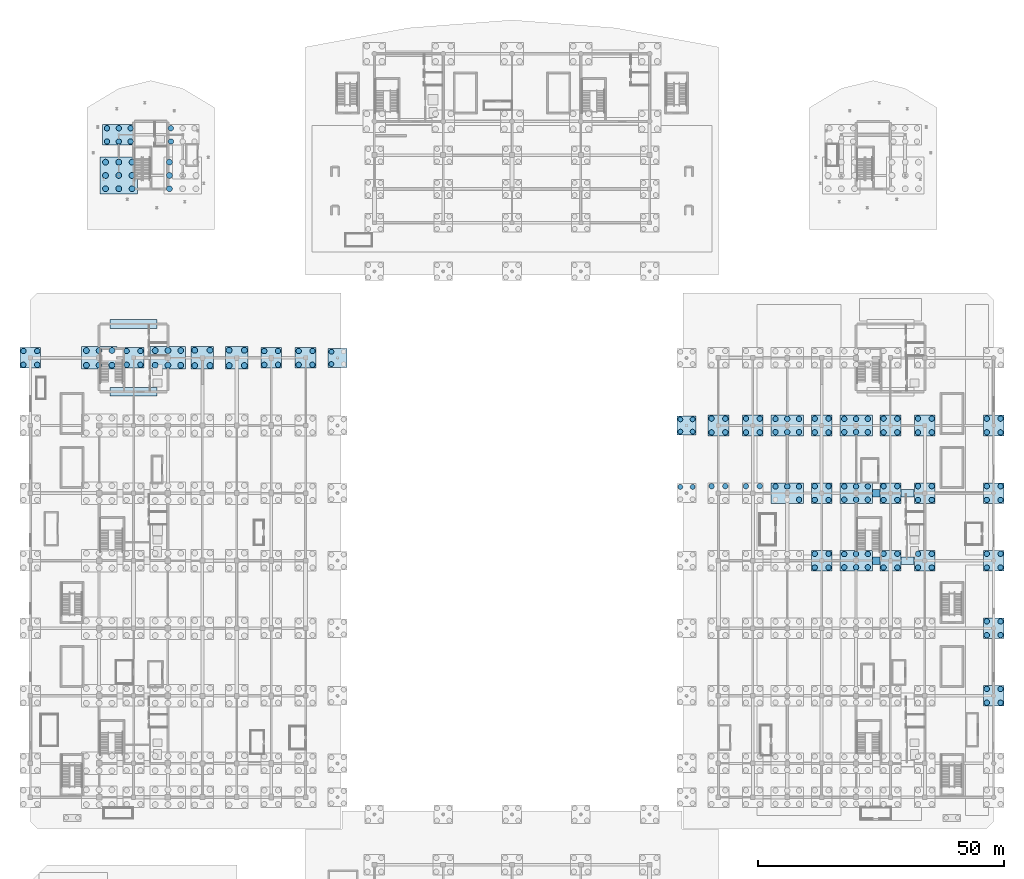
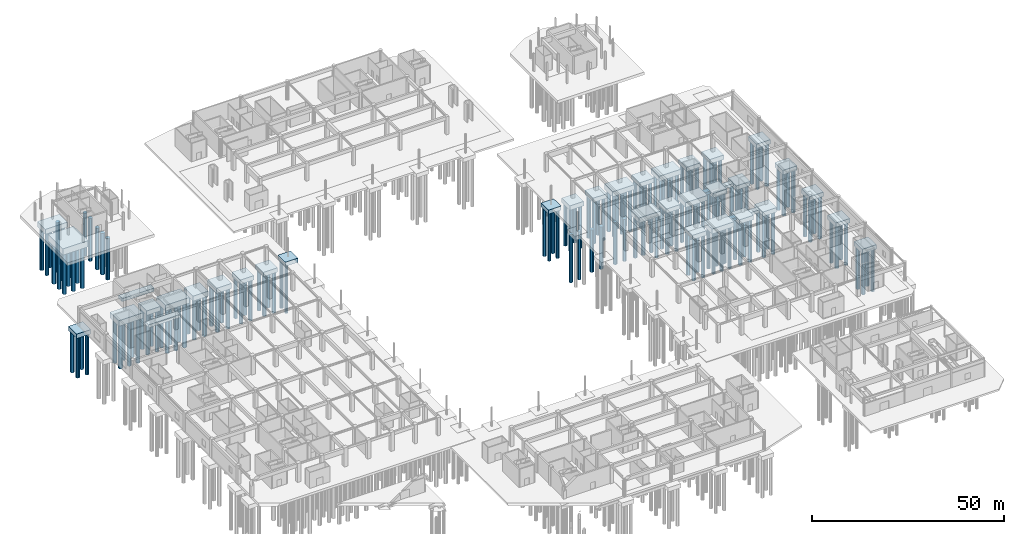
# One storey, part 5 of 62: 160 piles, 39 footings.
"""IFC4 building model written with IfcOpenShell, lengths in metres."""

import ifcopenshell
import ifcopenshell.guid

model = None  # the IFC model being written
_history = None  # IfcOwnerHistory: only IFC2X3 demands one
_inside = {}  # id of a spatial element -> (the spatial element, [elements in it])
_under = {}  # id of a project, library or spatial element -> (it, [spatial elements below it])
_declared = {}  # id of a project -> (the project, [libraries it declares])
_typed = {}  # id of a type object -> (the type object, [elements of that type])
_made_of = {}  # id of a material, layer set ... -> (it, [elements and type objects made of it])


def new_model(schema):
    """Start an empty IFC model of exactly this schema.

    Asked for "IFC4X3", IfcOpenShell would pick the latest addendum, in which some entities
    have other attributes; the version numbers below select the first issue.
    IFC2X3 requires an IfcOwnerHistory on every rooted entity: one is made here for all.
    """
    global model, _history
    if schema == "IFC4X3":
        model = ifcopenshell.file(schema_version=(4, 3, 0, 0))
    else:
        model = ifcopenshell.file(schema=schema)
    _inside.clear()
    _under.clear()
    _declared.clear()
    _typed.clear()
    _made_of.clear()
    _history = None
    if model.schema == "IFC2X3":
        org = make("IfcOrganization", Name="unknown")
        user = make(
            "IfcPersonAndOrganization",
            ThePerson=make("IfcPerson", FamilyName="unknown"),
            TheOrganization=org,
        )
        app = make(
            "IfcApplication",
            ApplicationDeveloper=org,
            Version="unknown",
            ApplicationFullName="unknown",
            ApplicationIdentifier="unknown",
        )
        _history = make(
            "IfcOwnerHistory",
            OwningUser=user,
            OwningApplication=app,
            ChangeAction="ADDED",
            CreationDate=0,
        )
    return model


def make(cls, **values):
    """One entity of the class cls with the attributes given. An attribute that is None is left unset."""
    return model.create_entity(
        cls, **{name: value for name, value in values.items() if value is not None}
    )


def rooted(cls, **values):
    """An entity with a GlobalId (a new one), such as an element, a storey or a relation."""
    return make(cls, GlobalId=ifcopenshell.guid.new(), OwnerHistory=_history, **values)


def si_unit(unit_type, name, prefix=None):
    """IfcSIUnit, for example si_unit("LENGTHUNIT", "METRE", prefix="MILLI")."""
    return make("IfcSIUnit", UnitType=unit_type, Prefix=prefix, Name=name)


def assignment(units):
    """IfcUnitAssignment: the units of a project."""
    return None if units is None else make("IfcUnitAssignment", Units=units)


def point(xyz):
    """IfcCartesianPoint."""
    return None if xyz is None else make("IfcCartesianPoint", Coordinates=xyz)


def direction(xyz):
    """IfcDirection."""
    return None if xyz is None else make("IfcDirection", DirectionRatios=xyz)


def frame(location, z_axis=None, x_axis=None):
    """IfcAxis2Placement3D, a coordinate frame: its origin and axes. An axis left out is left unset."""
    return make(
        "IfcAxis2Placement3D",
        Location=point(location),
        Axis=direction(z_axis),
        RefDirection=direction(x_axis),
    )


def frame_2d(location, x_axis=None):
    """IfcAxis2Placement2D, a coordinate frame in the plane: its origin and x axis."""
    return make(
        "IfcAxis2Placement2D", Location=point(location), RefDirection=direction(x_axis)
    )


def origin():
    """The frame at (0, 0, 0) with its axes left unset."""
    return frame((0.0, 0.0, 0.0))


def origin_2d():
    """The frame at (0, 0) in the plane with its x axis left unset."""
    return frame_2d((0.0, 0.0))


def place(relative_to, where):
    """IfcLocalPlacement: puts the frame where relative to a parent placement (None: the world)."""
    return make(
        "IfcLocalPlacement", PlacementRelTo=relative_to, RelativePlacement=where
    )


def context(
    kind, dimensions, precision=None, world=None, true_north=None, identifier=None
):
    """IfcGeometricRepresentationContext, for example the 3D "Model" context."""
    return make(
        "IfcGeometricRepresentationContext",
        ContextIdentifier=identifier,
        ContextType=kind,
        CoordinateSpaceDimension=dimensions,
        Precision=precision,
        WorldCoordinateSystem=world,
        TrueNorth=true_north,
    )


def subcontext(parent, identifier, kind, view, scale=None):
    """IfcGeometricRepresentationSubContext, for example "Body" below "Model"."""
    return make(
        "IfcGeometricRepresentationSubContext",
        ContextIdentifier=identifier,
        ContextType=kind,
        ParentContext=parent,
        TargetScale=scale,
        TargetView=view,
    )


def project(units=None, contexts=None):
    """IfcProject with its units and contexts."""
    return rooted(
        "IfcProject",
        Name="project",
        RepresentationContexts=contexts,
        UnitsInContext=assignment(units),
    )


def spatial(cls, under=None, at=None, **own):
    """A site, building, storey or space (cls), placed at a placement, below another one or the project."""
    s = rooted(cls, ObjectPlacement=at, **own)
    if under is not None:
        _under.setdefault(under.id(), (under, []))[1].append(s)
    return s


def profile(cls, at=None, kind="AREA", **sizes):
    """A parametric profile (cls). Its sizes go by their IFC names, for example OverallWidth=200.0."""
    return make(cls, ProfileType=kind, Position=at, **sizes)


def rectangle(**sizes):
    """IfcRectangleProfileDef."""
    return profile("IfcRectangleProfileDef", **sizes)


def circle(**sizes):
    """IfcCircleProfileDef."""
    return profile("IfcCircleProfileDef", **sizes)


def extrude(swept, where, along, depth):
    """IfcExtrudedAreaSolid: the profile swept, set in the frame where, extruded along a direction by depth."""
    return make(
        "IfcExtrudedAreaSolid",
        SweptArea=swept,
        Position=where,
        ExtrudedDirection=direction(along),
        Depth=depth,
    )


def shape(context_of_items, identifier, shape_type, items):
    """IfcShapeRepresentation: the items that make up one representation, for example the "Body"."""
    return make(
        "IfcShapeRepresentation",
        ContextOfItems=context_of_items,
        RepresentationIdentifier=identifier,
        RepresentationType=shape_type,
        Items=items,
    )


def material(Name=None, Category=None):
    """IfcMaterial."""
    return make("IfcMaterial", Name=Name, Category=Category)


def material_profile(
    of_material, cross_section, Name=None, Category=None, Priority=None
):
    """IfcMaterialProfile: a cross section and its material."""
    return make(
        "IfcMaterialProfile",
        Name=Name,
        Material=of_material,
        Profile=cross_section,
        Priority=Priority,
        Category=Category,
    )


def profile_set(profiles, Name=None, composite=None):
    """IfcMaterialProfileSet."""
    return make(
        "IfcMaterialProfileSet",
        Name=Name,
        MaterialProfiles=profiles,
        CompositeProfile=composite,
    )


def made_of(thing, what):
    """Note that an element or type object is made of a material, layer set ...; save() writes the relation."""
    if what is not None:
        _made_of.setdefault(what.id(), (what, []))[1].append(thing)
    return thing


def type_object(cls, material=None, **own):
    """A type object (cls), such as IfcWallType, which elements share."""
    return made_of(rooted(cls, **own), material)


def element(
    cls,
    number,
    at=None,
    inside=None,
    cuts=None,
    type_object=None,
    material=None,
    context=None,
    identifier="Body",
    shape_type=None,
    held_by="IfcProductDefinitionShape",
    body=None,
    shapes=None,
    **own,
):
    """One element of the class cls, such as IfcWall. Its Tag is "e" and its number.

    at: its placement. inside: the storey or other place that contains it. cuts: it is an
    opening in that element (IfcRelVoidsElement). A single representation is given by context,
    identifier, shape_type and body (its items); several are given by shapes. held_by: the class
    of the entity that holds the representations. save() writes the other relations.
    """
    e = rooted(cls, Tag="e%d" % number, ObjectPlacement=at, **own)
    if body is not None:
        shapes = [shape(context, identifier, shape_type, body)]
    if shapes is not None:
        e.Representation = make(held_by, Representations=shapes)
    if inside is not None:
        _inside.setdefault(inside.id(), (inside, []))[1].append(e)
    if cuts is not None:
        rooted(
            "IfcRelVoidsElement", RelatingBuildingElement=cuts, RelatedOpeningElement=e
        )
    if type_object is not None:
        _typed.setdefault(type_object.id(), (type_object, []))[1].append(e)
    return made_of(e, material)


def aggregate(whole, parts):
    """IfcRelAggregates: a whole, such as a stair, and the parts it consists of."""
    return rooted("IfcRelAggregates", RelatingObject=whole, RelatedObjects=parts)


def save(model, path):
    """Write the relations noted so far, then the file.

    IfcRelAggregates (storeys below a building ...), IfcRelContainedInSpatialStructure (elements
    in a storey), IfcRelDefinesByType, IfcRelAssociatesMaterial and IfcRelDeclares: one each for
    every whole, place, type object, material and project.
    """
    for whole, parts in _under.values():
        aggregate(whole, parts)
    for where, things in _inside.values():
        rooted(
            "IfcRelContainedInSpatialStructure",
            RelatedElements=things,
            RelatingStructure=where,
        )
    for kind, things in _typed.values():
        rooted("IfcRelDefinesByType", RelatedObjects=things, RelatingType=kind)
    for what, things in _made_of.values():
        rooted("IfcRelAssociatesMaterial", RelatedObjects=things, RelatingMaterial=what)
    for by, libraries in _declared.values():
        rooted("IfcRelDeclares", RelatingContext=by, RelatedDefinitions=libraries)
    model.write(path)


model = new_model("IFC4")

# Units and contexts
model_context = context("Model", 3, precision=1e-05, world=origin(), true_north=direction((0.0, 1.0)))
body_context = subcontext(model_context, "Body", "Model", "MODEL_VIEW")
ifc_project = project(units=[si_unit("LENGTHUNIT", "METRE"), si_unit("AREAUNIT", "SQUARE_METRE"), si_unit("VOLUMEUNIT", "CUBIC_METRE"), si_unit("PLANEANGLEUNIT", "RADIAN"), si_unit("MASSUNIT", "GRAM", prefix="KILO")], contexts=[model_context])

# Site, building, storey
site_placement = place(None, origin())
site = spatial("IfcSite", under=ifc_project, at=site_placement, CompositionType="ELEMENT")
building_placement = place(site_placement, origin())
building = spatial("IfcBuilding", under=site, at=building_placement, Name="Linyun Crest Stadium", CompositionType="ELEMENT")
storey_placement = place(building_placement, frame((0.0, 0.0, -6.0)))
storey = spatial("IfcBuildingStorey", under=building, at=storey_placement, Name="B1", CompositionType="ELEMENT", Elevation=-6.0)

# Piles
ifc_material_1 = material(Name="Concrete C40", Category="concrete")
ifc_material_profile_1 = material_profile(ifc_material_1, circle(Radius=0.5, at=origin_2d()), Name="BORED PILE 1000")
ifc_profile_set_1 = profile_set([ifc_material_profile_1], Name="Concrete C40")
pile_type_1 = type_object("IfcPileType", Name="P02", PredefinedType="BORED", material=ifc_profile_set_1)
for number, where, z_axis, x_axis, name in (
    (1, (-36.75, 42.125, -1.199951171875), (0.0, 0.0, -1.0), (1.0, 0.0, 0.0), "Bored pile P02 arch 16.1"),
    (2, (-36.75, 44.625, -1.199951171875), (0.0, 0.0, -1.0), (1.0, 0.0, 0.0), "Bored pile P02 arch 16.2"),
    (3, (34.25, 17.125, -1.199951171875), (0.0, 0.0, -1.0), (1.0, 0.0, 0.0), "Bored pile P02 arch 28.2"),
    (4, (36.75, 17.125, -1.199951171875), (0.0, 0.0, -1.0), (1.0, 0.0, 0.0), "Bored pile P02 arch 28.4"),
    (5, (34.25, 28.375, -1.199951171875), (0.0, 0.0, -1.0), (1.0, 0.0, 0.0), "Bored pile P02 arch 30.1"),
    (6, (34.25, 30.875, -1.199951171875), (0.0, 0.0, -1.0), (1.0, 0.0, 0.0), "Bored pile P02 arch 30.2"),
    (7, (36.75, 28.375, -1.199951171875), (0.0, 0.0, -1.0), (1.0, 0.0, 0.0), "Bored pile P02 arch 30.3"),
    (8, (36.75, 30.875, -1.199951171875), (0.0, 0.0, -1.0), (1.0, 0.0, 0.0), "Bored pile P02 arch 30.4"),
):
    element("IfcPile", number, at=place(storey_placement, frame(where, z_axis=z_axis, x_axis=x_axis)), inside=storey, type_object=pile_type_1, Name=name, PredefinedType="BORED", context=body_context, shape_type="SweptSolid", body=[
        extrude(circle(Radius=0.5, at=origin_2d()), origin(), (0.0, 0.0, 1.0), 15.300048828125),
    ])
ifc_material_2 = material(Name="Concrete C40", Category="concrete")
ifc_material_profile_2 = material_profile(ifc_material_2, circle(Radius=0.550048828125, at=origin_2d()), Name="BORED PILE 1100")
ifc_profile_set_2 = profile_set([ifc_material_profile_2], Name="Concrete C40")
pile_type_2 = type_object("IfcPileType", Name="P03", PredefinedType="BORED", material=ifc_profile_set_2)
for number, where, z_axis, x_axis, name in (
    (9, (-99.39990234375, 41.97509765625, -2.050048828125), (0.0, 0.0, -1.0), (1.0, 0.0, 0.0), "Bored pile P03 29"),
    (10, (-99.39990234375, 44.77490234375, -2.050048828125), (0.0, 0.0, -1.0), (1.0, 0.0, 0.0), "Bored pile P03 30"),
    (11, (-96.60009765625, 41.97509765625, -2.050048828125), (0.0, 0.0, -1.0), (1.0, 0.0, 0.0), "Bored pile P03 31"),
    (12, (-96.60009765625, 44.77490234375, -2.050048828125), (0.0, 0.0, -1.0), (1.0, 0.0, 0.0), "Bored pile P03 32"),
    (13, (-78.39990234375, 41.97509765625, -2.050048828125), (0.0, 0.0, -1.0), (1.0, 0.0, 0.0), "Bored pile P03 109"),
    (14, (-78.39990234375, 44.77490234375, -2.050048828125), (0.0, 0.0, -1.0), (1.0, 0.0, 0.0), "Bored pile P03 110"),
    (15, (-75.60009765625, 41.97509765625, -2.050048828125), (0.0, 0.0, -1.0), (1.0, 0.0, 0.0), "Bored pile P03 111"),
    (16, (-75.60009765625, 44.77490234375, -2.050048828125), (0.0, 0.0, -1.0), (1.0, 0.0, 0.0), "Bored pile P03 112"),
    (17, (-50.39990234375, 41.97509765625, -2.050048828125), (0.0, 0.0, -1.0), (1.0, 0.0, 0.0), "Bored pile P03 253"),
    (18, (-50.39990234375, 44.77490234375, -2.050048828125), (0.0, 0.0, -1.0), (1.0, 0.0, 0.0), "Bored pile P03 254"),
    (19, (-47.60009765625, 41.97509765625, -2.050048828125), (0.0, 0.0, -1.0), (1.0, 0.0, 0.0), "Bored pile P03 255"),
    (20, (-47.60009765625, 44.77490234375, -2.050048828125), (0.0, 0.0, -1.0), (1.0, 0.0, 0.0), "Bored pile P03 256"),
    (21, (-43.39990234375, 41.97509765625, -2.050048828125), (0.0, 0.0, -1.0), (1.0, 0.0, 0.0), "Bored pile P03 285"),
    (22, (-43.39990234375, 44.77490234375, -2.050048828125), (0.0, 0.0, -1.0), (1.0, 0.0, 0.0), "Bored pile P03 286"),
    (23, (-40.60009765625, 41.97509765625, -2.050048828125), (0.0, 0.0, -1.0), (1.0, 0.0, 0.0), "Bored pile P03 287"),
    (24, (-40.60009765625, 44.77490234375, -2.050048828125), (0.0, 0.0, -1.0), (1.0, 0.0, 0.0), "Bored pile P03 288"),
):
    element("IfcPile", number, at=place(storey_placement, frame(where, z_axis=z_axis, x_axis=x_axis)), inside=storey, type_object=pile_type_2, Name=name, PredefinedType="BORED", context=body_context, shape_type="SweptSolid", body=[
        extrude(circle(Radius=0.550048828125, at=origin_2d()), origin(), (0.0, 0.0, 1.0), 12.949951171875),
    ])
for number, where, z_axis, x_axis, name in (
    (25, (40.60009765625, 17.27490234375, -2.050048828125), (0.0, 0.0, -1.0), (1.0, 0.0, 0.0), "Bored pile P03 310"),
    (26, (43.39990234375, 17.27490234375, -2.050048828125), (0.0, 0.0, -1.0), (1.0, 0.0, 0.0), "Bored pile P03 312"),
    (27, (40.60009765625, 28.22509765625, -2.050048828125), (0.0, 0.0, -1.0), (1.0, 0.0, 0.0), "Bored pile P03 313"),
    (28, (40.60009765625, 31.02490234375, -2.050048828125), (0.0, 0.0, -1.0), (1.0, 0.0, 0.0), "Bored pile P03 314"),
    (29, (43.39990234375, 28.22509765625, -2.050048828125), (0.0, 0.0, -1.0), (1.0, 0.0, 0.0), "Bored pile P03 315"),
    (30, (43.39990234375, 31.02490234375, -2.050048828125), (0.0, 0.0, -1.0), (1.0, 0.0, 0.0), "Bored pile P03 316"),
    (31, (47.60009765625, 17.27490234375, -2.050048828125), (0.0, 0.0, -1.0), (1.0, 0.0, 0.0), "Bored pile P03 342"),
    (32, (50.39990234375, 17.27490234375, -2.050048828125), (0.0, 0.0, -1.0), (1.0, 0.0, 0.0), "Bored pile P03 344"),
    (33, (47.60009765625, 28.22509765625, -2.050048828125), (0.0, 0.0, -1.0), (1.0, 0.0, 0.0), "Bored pile P03 345"),
    (34, (47.60009765625, 31.02490234375, -2.050048828125), (0.0, 0.0, -1.0), (1.0, 0.0, 0.0), "Bored pile P03 346"),
    (35, (50.39990234375, 28.22509765625, -2.050048828125), (0.0, 0.0, -1.0), (1.0, 0.0, 0.0), "Bored pile P03 347"),
    (36, (50.39990234375, 31.02490234375, -2.050048828125), (0.0, 0.0, -1.0), (1.0, 0.0, 0.0), "Bored pile P03 348"),
):
    element("IfcPile", number, at=place(storey_placement, frame(where, z_axis=z_axis, x_axis=x_axis)), inside=storey, type_object=pile_type_2, Name=name, PredefinedType="BORED", context=body_context, shape_type="SweptSolid", body=[
        extrude(circle(Radius=0.550048828125, at=origin_2d()), origin(), (0.0, 0.0, 1.0), 13.449951171875),
    ])
for number, where, z_axis, x_axis, name in (
    (37, (53.60009765625, 17.22509765625, -2.25), (0.0, 0.0, -1.0), (1.0, 0.0, 0.0), "Bored pile P03 384"),
    (38, (56.0, 17.22509765625, -2.25), (0.0, 0.0, -1.0), (1.0, 0.0, 0.0), "Bored pile P03 386"),
    (39, (58.39990234375, 14.52490234375, -2.25), (0.0, 0.0, -1.0), (1.0, 0.0, 0.0), "Bored pile P03 387"),
    (40, (58.39990234375, 17.22509765625, -2.25), (0.0, 0.0, -1.0), (1.0, 0.0, 0.0), "Bored pile P03 388"),
    (41, (53.60009765625, 28.27490234375, -2.25), (0.0, 0.0, -1.0), (1.0, 0.0, 0.0), "Bored pile P03 389"),
    (42, (53.60009765625, 30.97509765625, -2.25), (0.0, 0.0, -1.0), (1.0, 0.0, 0.0), "Bored pile P03 390"),
    (43, (56.0, 28.27490234375, -2.25), (0.0, 0.0, -1.0), (1.0, 0.0, 0.0), "Bored pile P03 391"),
    (44, (56.0, 30.97509765625, -2.25), (0.0, 0.0, -1.0), (1.0, 0.0, 0.0), "Bored pile P03 392"),
    (45, (58.39990234375, 28.27490234375, -2.25), (0.0, 0.0, -1.0), (1.0, 0.0, 0.0), "Bored pile P03 393"),
    (46, (58.39990234375, 30.97509765625, -2.25), (0.0, 0.0, -1.0), (1.0, 0.0, 0.0), "Bored pile P03 394"),
):
    element("IfcPile", number, at=place(storey_placement, frame(where, z_axis=z_axis, x_axis=x_axis)), inside=storey, type_object=pile_type_2, Name=name, PredefinedType="BORED", context=body_context, shape_type="SweptSolid", body=[
        extrude(circle(Radius=0.550048828125, at=origin_2d()), origin(), (0.0, 0.0, 1.0), 13.25),
    ])
for number, where, z_axis, x_axis, name in (
    (47, (61.60009765625, 0.72509765625, -2.050048828125), (0.0, 0.0, -1.0), (1.0, 0.0, 0.0), "Bored pile P03 417"),
    (48, (61.60009765625, 3.52490234375, -2.050048828125), (0.0, 0.0, -1.0), (1.0, 0.0, 0.0), "Bored pile P03 418"),
    (49, (64.39990234375, 0.72509765625, -2.050048828125), (0.0, 0.0, -1.0), (1.0, 0.0, 0.0), "Bored pile P03 419"),
    (50, (64.39990234375, 3.52490234375, -2.050048828125), (0.0, 0.0, -1.0), (1.0, 0.0, 0.0), "Bored pile P03 420"),
    (51, (61.60009765625, 14.47509765625, -2.050048828125), (0.0, 0.0, -1.0), (1.0, 0.0, 0.0), "Bored pile P03 421"),
    (52, (61.60009765625, 17.27490234375, -2.050048828125), (0.0, 0.0, -1.0), (1.0, 0.0, 0.0), "Bored pile P03 422"),
    (53, (64.39990234375, 14.47509765625, -2.050048828125), (0.0, 0.0, -1.0), (1.0, 0.0, 0.0), "Bored pile P03 423"),
    (54, (64.39990234375, 17.27490234375, -2.050048828125), (0.0, 0.0, -1.0), (1.0, 0.0, 0.0), "Bored pile P03 424"),
    (55, (61.60009765625, 28.22509765625, -2.050048828125), (0.0, 0.0, -1.0), (1.0, 0.0, 0.0), "Bored pile P03 425"),
    (56, (61.60009765625, 31.02490234375, -2.050048828125), (0.0, 0.0, -1.0), (1.0, 0.0, 0.0), "Bored pile P03 426"),
    (57, (64.39990234375, 28.22509765625, -2.050048828125), (0.0, 0.0, -1.0), (1.0, 0.0, 0.0), "Bored pile P03 427"),
    (58, (64.39990234375, 31.02490234375, -2.050048828125), (0.0, 0.0, -1.0), (1.0, 0.0, 0.0), "Bored pile P03 428"),
):
    element("IfcPile", number, at=place(storey_placement, frame(where, z_axis=z_axis, x_axis=x_axis)), inside=storey, type_object=pile_type_2, Name=name, PredefinedType="BORED", context=body_context, shape_type="SweptSolid", body=[
        extrude(circle(Radius=0.550048828125, at=origin_2d()), origin(), (0.0, 0.0, 1.0), 13.449951171875),
    ])
for number, where, z_axis, x_axis, name in (
    (59, (67.60009765625, 0.77490234375, -2.25), (0.0, 0.0, -1.0), (1.0, 0.0, 0.0), "Bored pile P03 457"),
    (60, (67.60009765625, 3.47509765625, -2.25), (0.0, 0.0, -1.0), (1.0, 0.0, 0.0), "Bored pile P03 458"),
    (61, (70.0, 0.77490234375, -2.25), (0.0, 0.0, -1.0), (1.0, 0.0, 0.0), "Bored pile P03 459"),
    (62, (70.0, 3.47509765625, -2.25), (0.0, 0.0, -1.0), (1.0, 0.0, 0.0), "Bored pile P03 460"),
    (63, (72.39990234375, 0.77490234375, -2.25), (0.0, 0.0, -1.0), (1.0, 0.0, 0.0), "Bored pile P03 461"),
    (64, (72.39990234375, 3.47509765625, -2.25), (0.0, 0.0, -1.0), (1.0, 0.0, 0.0), "Bored pile P03 462"),
    (65, (67.60009765625, 14.52490234375, -2.25), (0.0, 0.0, -1.0), (1.0, 0.0, 0.0), "Bored pile P03 463"),
    (66, (67.60009765625, 17.22509765625, -2.25), (0.0, 0.0, -1.0), (1.0, 0.0, 0.0), "Bored pile P03 464"),
    (67, (70.0, 14.52490234375, -2.25), (0.0, 0.0, -1.0), (1.0, 0.0, 0.0), "Bored pile P03 465"),
    (68, (70.0, 17.22509765625, -2.25), (0.0, 0.0, -1.0), (1.0, 0.0, 0.0), "Bored pile P03 466"),
    (69, (72.39990234375, 14.52490234375, -2.25), (0.0, 0.0, -1.0), (1.0, 0.0, 0.0), "Bored pile P03 467"),
    (70, (72.39990234375, 17.22509765625, -2.25), (0.0, 0.0, -1.0), (1.0, 0.0, 0.0), "Bored pile P03 468"),
    (71, (67.60009765625, 28.27490234375, -2.25), (0.0, 0.0, -1.0), (1.0, 0.0, 0.0), "Bored pile P03 469"),
    (72, (67.60009765625, 30.97509765625, -2.25), (0.0, 0.0, -1.0), (1.0, 0.0, 0.0), "Bored pile P03 470"),
    (73, (70.0, 28.27490234375, -2.25), (0.0, 0.0, -1.0), (1.0, 0.0, 0.0), "Bored pile P03 471"),
    (74, (70.0, 30.97509765625, -2.25), (0.0, 0.0, -1.0), (1.0, 0.0, 0.0), "Bored pile P03 472"),
    (75, (72.39990234375, 28.27490234375, -2.25), (0.0, 0.0, -1.0), (1.0, 0.0, 0.0), "Bored pile P03 473"),
    (76, (72.39990234375, 30.97509765625, -2.25), (0.0, 0.0, -1.0), (1.0, 0.0, 0.0), "Bored pile P03 474"),
):
    element("IfcPile", number, at=place(storey_placement, frame(where, z_axis=z_axis, x_axis=x_axis)), inside=storey, type_object=pile_type_2, Name=name, PredefinedType="BORED", context=body_context, shape_type="SweptSolid", body=[
        extrude(circle(Radius=0.550048828125, at=origin_2d()), origin(), (0.0, 0.0, 1.0), 13.25),
    ])
for number, where, z_axis, x_axis, name in (
    (77, (75.60009765625, 0.72509765625, -2.050048828125), (0.0, 0.0, -1.0), (1.0, 0.0, 0.0), "Bored pile P03 497"),
    (78, (75.60009765625, 3.52490234375, -2.050048828125), (0.0, 0.0, -1.0), (1.0, 0.0, 0.0), "Bored pile P03 498"),
    (79, (78.39990234375, 0.72509765625, -2.050048828125), (0.0, 0.0, -1.0), (1.0, 0.0, 0.0), "Bored pile P03 499"),
    (80, (78.39990234375, 3.52490234375, -2.050048828125), (0.0, 0.0, -1.0), (1.0, 0.0, 0.0), "Bored pile P03 500"),
    (81, (75.60009765625, 14.47509765625, -2.050048828125), (0.0, 0.0, -1.0), (1.0, 0.0, 0.0), "Bored pile P03 501"),
    (82, (75.60009765625, 17.27490234375, -2.050048828125), (0.0, 0.0, -1.0), (1.0, 0.0, 0.0), "Bored pile P03 502"),
    (83, (78.39990234375, 14.47509765625, -2.050048828125), (0.0, 0.0, -1.0), (1.0, 0.0, 0.0), "Bored pile P03 503"),
    (84, (78.39990234375, 17.27490234375, -2.050048828125), (0.0, 0.0, -1.0), (1.0, 0.0, 0.0), "Bored pile P03 504"),
    (85, (75.60009765625, 28.22509765625, -2.050048828125), (0.0, 0.0, -1.0), (1.0, 0.0, 0.0), "Bored pile P03 505"),
    (86, (75.60009765625, 31.02490234375, -2.050048828125), (0.0, 0.0, -1.0), (1.0, 0.0, 0.0), "Bored pile P03 506"),
    (87, (78.39990234375, 28.22509765625, -2.050048828125), (0.0, 0.0, -1.0), (1.0, 0.0, 0.0), "Bored pile P03 507"),
    (88, (78.39990234375, 31.02490234375, -2.050048828125), (0.0, 0.0, -1.0), (1.0, 0.0, 0.0), "Bored pile P03 508"),
    (89, (82.60009765625, 0.72509765625, -2.050048828125), (0.0, 0.0, -1.0), (1.0, 0.0, 0.0), "Bored pile P03 529"),
    (90, (82.60009765625, 3.52490234375, -2.050048828125), (0.0, 0.0, -1.0), (1.0, 0.0, 0.0), "Bored pile P03 530"),
    (91, (85.39990234375, 0.72509765625, -2.050048828125), (0.0, 0.0, -1.0), (1.0, 0.0, 0.0), "Bored pile P03 531"),
    (92, (85.39990234375, 3.52490234375, -2.050048828125), (0.0, 0.0, -1.0), (1.0, 0.0, 0.0), "Bored pile P03 532"),
    (93, (82.60009765625, 14.47509765625, -2.050048828125), (0.0, 0.0, -1.0), (1.0, 0.0, 0.0), "Bored pile P03 533"),
    (94, (82.60009765625, 17.27490234375, -2.050048828125), (0.0, 0.0, -1.0), (1.0, 0.0, 0.0), "Bored pile P03 534"),
    (95, (85.39990234375, 14.47509765625, -2.050048828125), (0.0, 0.0, -1.0), (1.0, 0.0, 0.0), "Bored pile P03 535"),
    (96, (85.39990234375, 17.27490234375, -2.050048828125), (0.0, 0.0, -1.0), (1.0, 0.0, 0.0), "Bored pile P03 536"),
    (97, (82.60009765625, 28.22509765625, -2.050048828125), (0.0, 0.0, -1.0), (1.0, 0.0, 0.0), "Bored pile P03 537"),
    (98, (82.60009765625, 31.02490234375, -2.050048828125), (0.0, 0.0, -1.0), (1.0, 0.0, 0.0), "Bored pile P03 538"),
    (99, (85.39990234375, 28.22509765625, -2.050048828125), (0.0, 0.0, -1.0), (1.0, 0.0, 0.0), "Bored pile P03 539"),
    (100, (85.39990234375, 31.02490234375, -2.050048828125), (0.0, 0.0, -1.0), (1.0, 0.0, 0.0), "Bored pile P03 540"),
    (101, (96.60009765625, -26.77490234375, -2.050048828125), (0.0, 0.0, -1.0), (1.0, 0.0, 0.0), "Bored pile P03 553"),
    (102, (96.60009765625, -23.97509765625, -2.050048828125), (0.0, 0.0, -1.0), (1.0, 0.0, 0.0), "Bored pile P03 554"),
    (103, (99.39990234375, -26.77490234375, -2.050048828125), (0.0, 0.0, -1.0), (1.0, 0.0, 0.0), "Bored pile P03 555"),
    (104, (99.39990234375, -23.97509765625, -2.050048828125), (0.0, 0.0, -1.0), (1.0, 0.0, 0.0), "Bored pile P03 556"),
    (105, (96.60009765625, -13.02490234375, -2.050048828125), (0.0, 0.0, -1.0), (1.0, 0.0, 0.0), "Bored pile P03 557"),
    (106, (96.60009765625, -10.22509765625, -2.050048828125), (0.0, 0.0, -1.0), (1.0, 0.0, 0.0), "Bored pile P03 558"),
    (107, (99.39990234375, -13.02490234375, -2.050048828125), (0.0, 0.0, -1.0), (1.0, 0.0, 0.0), "Bored pile P03 559"),
    (108, (99.39990234375, -10.22509765625, -2.050048828125), (0.0, 0.0, -1.0), (1.0, 0.0, 0.0), "Bored pile P03 560"),
    (109, (96.60009765625, 0.72509765625, -2.050048828125), (0.0, 0.0, -1.0), (1.0, 0.0, 0.0), "Bored pile P03 561"),
    (110, (96.60009765625, 3.52490234375, -2.050048828125), (0.0, 0.0, -1.0), (1.0, 0.0, 0.0), "Bored pile P03 562"),
    (111, (99.39990234375, 0.72509765625, -2.050048828125), (0.0, 0.0, -1.0), (1.0, 0.0, 0.0), "Bored pile P03 563"),
    (112, (99.39990234375, 3.52490234375, -2.050048828125), (0.0, 0.0, -1.0), (1.0, 0.0, 0.0), "Bored pile P03 564"),
    (113, (96.60009765625, 14.47509765625, -2.050048828125), (0.0, 0.0, -1.0), (1.0, 0.0, 0.0), "Bored pile P03 565"),
    (114, (96.60009765625, 17.27490234375, -2.050048828125), (0.0, 0.0, -1.0), (1.0, 0.0, 0.0), "Bored pile P03 566"),
    (115, (99.39990234375, 14.47509765625, -2.050048828125), (0.0, 0.0, -1.0), (1.0, 0.0, 0.0), "Bored pile P03 567"),
    (116, (99.39990234375, 17.27490234375, -2.050048828125), (0.0, 0.0, -1.0), (1.0, 0.0, 0.0), "Bored pile P03 568"),
    (117, (96.60009765625, 28.22509765625, -2.050048828125), (0.0, 0.0, -1.0), (1.0, 0.0, 0.0), "Bored pile P03 569"),
    (118, (96.60009765625, 31.02490234375, -2.050048828125), (0.0, 0.0, -1.0), (1.0, 0.0, 0.0), "Bored pile P03 570"),
    (119, (99.39990234375, 28.22509765625, -2.050048828125), (0.0, 0.0, -1.0), (1.0, 0.0, 0.0), "Bored pile P03 571"),
    (120, (99.39990234375, 31.02490234375, -2.050048828125), (0.0, 0.0, -1.0), (1.0, 0.0, 0.0), "Bored pile P03 572"),
):
    element("IfcPile", number, at=place(storey_placement, frame(where, z_axis=z_axis, x_axis=x_axis)), inside=storey, type_object=pile_type_2, Name=name, PredefinedType="BORED", context=body_context, shape_type="SweptSolid", body=[
        extrude(circle(Radius=0.550048828125, at=origin_2d()), origin(), (0.0, 0.0, 1.0), 13.449951171875),
    ])
for number, where, z_axis, x_axis, name in (
    (121, (-82.39990234375, 87.39990234375, -2.39990234375), (0.0, 0.0, -1.0), (1.0, 0.0, 0.0), "Bored pile P03 815"),
    (122, (-82.39990234375, 90.10009765625, -2.39990234375), (0.0, 0.0, -1.0), (1.0, 0.0, 0.0), "Bored pile P03 816"),
    (123, (-80.0, 87.39990234375, -2.39990234375), (0.0, 0.0, -1.0), (1.0, 0.0, 0.0), "Bored pile P03 817"),
    (124, (-80.0, 90.10009765625, -2.39990234375), (0.0, 0.0, -1.0), (1.0, 0.0, 0.0), "Bored pile P03 818"),
    (125, (-77.60009765625, 87.39990234375, -2.39990234375), (0.0, 0.0, -1.0), (1.0, 0.0, 0.0), "Bored pile P03 819"),
    (126, (-77.60009765625, 90.10009765625, -2.39990234375), (0.0, 0.0, -1.0), (1.0, 0.0, 0.0), "Bored pile P03 820"),
    (127, (-69.39990234375, 87.39990234375, -2.39990234375), (0.0, 0.0, -1.0), (1.0, 0.0, 0.0), "Bored pile P03 821"),
    (128, (-69.39990234375, 90.10009765625, -2.39990234375), (0.0, 0.0, -1.0), (1.0, 0.0, 0.0), "Bored pile P03 822"),
):
    element("IfcPile", number, at=place(storey_placement, frame(where, z_axis=z_axis, x_axis=x_axis)), inside=storey, type_object=pile_type_2, Name=name, PredefinedType="BORED", context=body_context, shape_type="SweptSolid", body=[
        extrude(circle(Radius=0.550048828125, at=origin_2d()), origin(), (0.0, 0.0, 1.0), 13.60009765625),
    ])
ifc_material_3 = material(Name="Concrete C40", Category="concrete")
ifc_material_profile_3 = material_profile(ifc_material_3, circle(Radius=0.60009765625, at=origin_2d()), Name="BORED PILE 1200")
ifc_profile_set_3 = profile_set([ifc_material_profile_3], Name="Concrete C40")
pile_type_3 = type_object("IfcPileType", Name="P04", PredefinedType="BORED", material=ifc_profile_set_3)
for number, where, z_axis, x_axis, name in (
    (129, (-86.60009765625, 41.875, -2.449951171875), (0.0, 0.0, -1.0), (1.0, 0.0, 0.0), "Bored pile P04 75"),
    (130, (-86.60009765625, 44.875, -2.449951171875), (0.0, 0.0, -1.0), (1.0, 0.0, 0.0), "Bored pile P04 76"),
    (131, (-84.0, 41.875, -2.449951171875), (0.0, 0.0, -1.0), (1.0, 0.0, 0.0), "Bored pile P04 77"),
    (132, (-84.0, 44.875, -2.449951171875), (0.0, 0.0, -1.0), (1.0, 0.0, 0.0), "Bored pile P04 78"),
    (133, (-81.39990234375, 41.875, -2.449951171875), (0.0, 0.0, -1.0), (1.0, 0.0, 0.0), "Bored pile P04 79"),
    (134, (-81.39990234375, 44.875, -2.449951171875), (0.0, 0.0, -1.0), (1.0, 0.0, 0.0), "Bored pile P04 80"),
    (135, (-72.60009765625, 41.875, -2.449951171875), (0.0, 0.0, -1.0), (1.0, 0.0, 0.0), "Bored pile P04 155"),
    (136, (-72.60009765625, 44.875, -2.449951171875), (0.0, 0.0, -1.0), (1.0, 0.0, 0.0), "Bored pile P04 156"),
    (137, (-70.0, 41.875, -2.449951171875), (0.0, 0.0, -1.0), (1.0, 0.0, 0.0), "Bored pile P04 157"),
    (138, (-70.0, 44.875, -2.449951171875), (0.0, 0.0, -1.0), (1.0, 0.0, 0.0), "Bored pile P04 158"),
    (139, (-67.39990234375, 41.875, -2.449951171875), (0.0, 0.0, -1.0), (1.0, 0.0, 0.0), "Bored pile P04 159"),
    (140, (-67.39990234375, 44.875, -2.449951171875), (0.0, 0.0, -1.0), (1.0, 0.0, 0.0), "Bored pile P04 160"),
):
    element("IfcPile", number, at=place(storey_placement, frame(where, z_axis=z_axis, x_axis=x_axis)), inside=storey, type_object=pile_type_3, Name=name, PredefinedType="BORED", context=body_context, shape_type="SweptSolid", body=[
        extrude(circle(Radius=0.60009765625, at=origin_2d()), origin(), (0.0, 0.0, 1.0), 14.050048828125),
    ])
for number, where, z_axis, x_axis, name in (
    (141, (-64.550048828125, 41.824951171875, -2.25), (0.0, 0.0, -1.0), (1.0, 0.0, 0.0), "Bored pile P04 189"),
    (142, (-64.550048828125, 44.925048828125, -2.25), (0.0, 0.0, -1.0), (1.0, 0.0, 0.0), "Bored pile P04 190"),
    (143, (-61.449951171875, 41.824951171875, -2.25), (0.0, 0.0, -1.0), (1.0, 0.0, 0.0), "Bored pile P04 191"),
    (144, (-61.449951171875, 44.925048828125, -2.25), (0.0, 0.0, -1.0), (1.0, 0.0, 0.0), "Bored pile P04 192"),
    (145, (-57.550048828125, 41.824951171875, -2.25), (0.0, 0.0, -1.0), (1.0, 0.0, 0.0), "Bored pile P04 221"),
    (146, (-57.550048828125, 44.925048828125, -2.25), (0.0, 0.0, -1.0), (1.0, 0.0, 0.0), "Bored pile P04 222"),
    (147, (-54.449951171875, 41.824951171875, -2.25), (0.0, 0.0, -1.0), (1.0, 0.0, 0.0), "Bored pile P04 223"),
    (148, (-54.449951171875, 44.925048828125, -2.25), (0.0, 0.0, -1.0), (1.0, 0.0, 0.0), "Bored pile P04 224"),
):
    element("IfcPile", number, at=place(storey_placement, frame(where, z_axis=z_axis, x_axis=x_axis)), inside=storey, type_object=pile_type_3, Name=name, PredefinedType="BORED", context=body_context, shape_type="SweptSolid", body=[
        extrude(circle(Radius=0.60009765625, at=origin_2d()), origin(), (0.0, 0.0, 1.0), 12.75),
    ])
for number, where, z_axis, x_axis, name in (
    (149, (-82.699951171875, 77.800048828125, -2.800048828125), (0.0, 0.0, -1.0), (1.0, 0.0, 0.0), "Bored pile P04 797"),
    (150, (-82.699951171875, 80.5, -2.800048828125), (0.0, 0.0, -1.0), (1.0, 0.0, 0.0), "Bored pile P04 798"),
    (151, (-82.699951171875, 83.199951171875, -2.800048828125), (0.0, 0.0, -1.0), (1.0, 0.0, 0.0), "Bored pile P04 799"),
    (152, (-80.0, 77.800048828125, -2.800048828125), (0.0, 0.0, -1.0), (1.0, 0.0, 0.0), "Bored pile P04 800"),
    (153, (-80.0, 80.5, -2.800048828125), (0.0, 0.0, -1.0), (1.0, 0.0, 0.0), "Bored pile P04 801"),
    (154, (-80.0, 83.199951171875, -2.800048828125), (0.0, 0.0, -1.0), (1.0, 0.0, 0.0), "Bored pile P04 802"),
    (155, (-77.300048828125, 77.800048828125, -2.800048828125), (0.0, 0.0, -1.0), (1.0, 0.0, 0.0), "Bored pile P04 803"),
    (156, (-77.300048828125, 80.5, -2.800048828125), (0.0, 0.0, -1.0), (1.0, 0.0, 0.0), "Bored pile P04 804"),
    (157, (-77.300048828125, 83.199951171875, -2.800048828125), (0.0, 0.0, -1.0), (1.0, 0.0, 0.0), "Bored pile P04 805"),
    (158, (-69.699951171875, 77.800048828125, -2.800048828125), (0.0, 0.0, -1.0), (1.0, 0.0, 0.0), "Bored pile P04 806"),
    (159, (-69.699951171875, 80.5, -2.800048828125), (0.0, 0.0, -1.0), (1.0, 0.0, 0.0), "Bored pile P04 807"),
    (160, (-69.699951171875, 83.199951171875, -2.800048828125), (0.0, 0.0, -1.0), (1.0, 0.0, 0.0), "Bored pile P04 808"),
):
    element("IfcPile", number, at=place(storey_placement, frame(where, z_axis=z_axis, x_axis=x_axis)), inside=storey, type_object=pile_type_3, Name=name, PredefinedType="BORED", context=body_context, shape_type="SweptSolid", body=[
        extrude(circle(Radius=0.60009765625, at=origin_2d()), origin(), (0.0, 0.0, 1.0), 13.199951171875),
    ])

# Footings
ifc_material_4 = material(Name="Concrete C40", Category="concrete")
footing_type_1 = type_object("IfcFootingType", Name="PC02", PredefinedType="PILE_CAP", material=ifc_material_4)
for number, where, z_axis, x_axis, name in (
    (161, (-35.5, 43.375, -1.2998046875), (0.0, 0.0, 1.0), (1.0, 0.0, 0.0), "Foundation PC02 arch 16"),
    (162, (35.5, 29.625, -1.2998046875), (0.0, 0.0, 1.0), (1.0, 0.0, 0.0), "Foundation PC02 arch 30"),
):
    element("IfcFooting", number, at=place(storey_placement, frame(where, z_axis=z_axis, x_axis=x_axis)), inside=storey, type_object=footing_type_1, Name=name, PredefinedType="PILE_CAP", context=body_context, shape_type="SweptSolid", body=[
        extrude(rectangle(XDim=3.800048828125, YDim=3.800048828125, at=origin_2d()), origin(), (0.0, 0.0, 1.0), 1.300048828125),
    ])
ifc_material_5 = material(Name="Concrete C40", Category="concrete")
footing_type_2 = type_object("IfcFootingType", Name="PC03", PredefinedType="PILE_CAP", material=ifc_material_5)
for number, where, z_axis, x_axis, name in (
    (163, (-98.0, 43.375, -2.14990234375), (0.0, 0.0, 1.0), (1.0, 0.0, 0.0), "Foundation PC03 8"),
    (164, (-77.0, 43.375, -2.14990234375), (0.0, 0.0, 1.0), (1.0, 0.0, 0.0), "Foundation PC03 24"),
    (165, (-49.0, 43.375, -2.14990234375), (0.0, 0.0, 1.0), (1.0, 0.0, 0.0), "Foundation PC03 56"),
    (166, (-42.0, 43.375, -2.14990234375), (0.0, 0.0, 1.0), (1.0, 0.0, 0.0), "Foundation PC03 64"),
    (167, (42.0, 29.625, -2.14990234375), (0.0, 0.0, 1.0), (1.0, 0.0, 0.0), "Foundation PC03 71"),
    (168, (49.0, 29.625, -2.14990234375), (0.0, 0.0, 1.0), (1.0, 0.0, 0.0), "Foundation PC03 79"),
    (169, (63.0, 2.125, -2.14990234375), (0.0, 0.0, 1.0), (1.0, 0.0, 0.0), "Foundation PC03 93"),
    (170, (63.0, 15.875, -2.14990234375), (0.0, 0.0, 1.0), (1.0, 0.0, 0.0), "Foundation PC03 94"),
    (171, (63.0, 29.625, -2.14990234375), (0.0, 0.0, 1.0), (1.0, 0.0, 0.0), "Foundation PC03 95"),
    (172, (77.0, 2.125, -2.14990234375), (0.0, 0.0, 1.0), (1.0, 0.0, 0.0), "Foundation PC03 109"),
    (173, (77.0, 15.875, -2.14990234375), (0.0, 0.0, 1.0), (1.0, 0.0, 0.0), "Foundation PC03 110"),
    (174, (77.0, 29.625, -2.14990234375), (0.0, 0.0, 1.0), (1.0, 0.0, 0.0), "Foundation PC03 111"),
    (175, (84.0, 2.125, -2.14990234375), (0.0, 0.0, 1.0), (1.0, 0.0, 0.0), "Foundation PC03 117"),
    (176, (84.0, 15.875, -2.14990234375), (0.0, 0.0, 1.0), (1.0, 0.0, 0.0), "Foundation PC03 118"),
    (177, (84.0, 29.625, -2.14990234375), (0.0, 0.0, 1.0), (1.0, 0.0, 0.0), "Foundation PC03 119"),
    (178, (98.0, -25.375, -2.14990234375), (0.0, 0.0, 1.0), (1.0, 0.0, 0.0), "Foundation PC03 123"),
    (179, (98.0, -11.625, -2.14990234375), (0.0, 0.0, 1.0), (1.0, 0.0, 0.0), "Foundation PC03 124"),
    (180, (98.0, 2.125, -2.14990234375), (0.0, 0.0, 1.0), (1.0, 0.0, 0.0), "Foundation PC03 125"),
    (181, (98.0, 15.875, -2.14990234375), (0.0, 0.0, 1.0), (1.0, 0.0, 0.0), "Foundation PC03 126"),
    (182, (98.0, 29.625, -2.14990234375), (0.0, 0.0, 1.0), (1.0, 0.0, 0.0), "Foundation PC03 127"),
):
    element("IfcFooting", number, at=place(storey_placement, frame(where, z_axis=z_axis, x_axis=x_axis)), inside=storey, type_object=footing_type_2, Name=name, PredefinedType="PILE_CAP", context=body_context, shape_type="SweptSolid", body=[
        extrude(rectangle(XDim=4.199951171875, YDim=4.199951171875, at=origin_2d()), origin(), (0.0, 0.0, 1.0), 1.39990234375),
    ])
ifc_material_6 = material(Name="Concrete C40", Category="concrete")
footing_type_3 = type_object("IfcFootingType", Name="PC04", PredefinedType="PILE_CAP", material=ifc_material_6)
for number, where, z_axis, x_axis, name in (
    (183, (-63.0, 43.375, -2.35009765625), (0.0, 0.0, 1.0), (1.0, 0.0, 0.0), "Foundation PC04 40"),
    (184, (-56.0, 43.375, -2.35009765625), (0.0, 0.0, 1.0), (1.0, 0.0, 0.0), "Foundation PC04 48"),
):
    element("IfcFooting", number, at=place(storey_placement, frame(where, z_axis=z_axis, x_axis=x_axis)), inside=storey, type_object=footing_type_3, Name=name, PredefinedType="PILE_CAP", context=body_context, shape_type="SweptSolid", body=[
        extrude(rectangle(XDim=4.60009765625, YDim=4.60009765625, at=origin_2d()), origin(), (0.0, 0.0, 1.0), 1.60009765625),
    ])
ifc_material_7 = material(Name="Concrete C40", Category="concrete")
footing_type_4 = type_object("IfcFootingType", Name="PC05", PredefinedType="PILE_CAP", material=ifc_material_7)
for number, where, z_axis, x_axis, name in (
    (185, (56.0, 15.875, -2.35009765625), (0.0, 0.0, 1.0), (1.0, 0.0, 0.0), "Foundation PC05 86"),
    (186, (56.0, 29.625, -2.35009765625), (0.0, 0.0, 1.0), (1.0, 0.0, 0.0), "Foundation PC05 87"),
    (187, (70.0, 2.125, -2.35009765625), (0.0, 0.0, 1.0), (1.0, 0.0, 0.0), "Foundation PC05 101"),
    (188, (70.0, 15.875, -2.35009765625), (0.0, 0.0, 1.0), (1.0, 0.0, 0.0), "Foundation PC05 102"),
    (189, (70.0, 29.625, -2.35009765625), (0.0, 0.0, 1.0), (1.0, 0.0, 0.0), "Foundation PC05 103"),
    (190, (-80.0, 88.75, -2.5), (0.0, 0.0, 1.0), (1.0, 0.0, 0.0), "Foundation PC05 186"),
):
    element("IfcFooting", number, at=place(storey_placement, frame(where, z_axis=z_axis, x_axis=x_axis)), inside=storey, type_object=footing_type_4, Name=name, PredefinedType="PILE_CAP", context=body_context, shape_type="SweptSolid", body=[
        extrude(rectangle(XDim=6.60009765625, YDim=4.199951171875, at=origin_2d()), origin(), (0.0, 0.0, 1.0), 1.60009765625),
    ])
ifc_material_8 = material(Name="Concrete C40", Category="concrete")
footing_type_5 = type_object("IfcFootingType", Name="PC06", PredefinedType="PILE_CAP", material=ifc_material_8)
for number, where, z_axis, x_axis, name in (
    (191, (-84.0, 43.375, -2.5498046875), (0.0, 0.0, 1.0), (1.0, 0.0, 0.0), "Foundation PC06 16"),
    (192, (-70.0, 43.375, -2.5498046875), (0.0, 0.0, 1.0), (1.0, 0.0, 0.0), "Foundation PC06 32"),
):
    element("IfcFooting", number, at=place(storey_placement, frame(where, z_axis=z_axis, x_axis=x_axis)), inside=storey, type_object=footing_type_5, Name=name, PredefinedType="PILE_CAP", context=body_context, shape_type="SweptSolid", body=[
        extrude(rectangle(XDim=7.199951171875, YDim=4.60009765625, at=origin_2d()), origin(), (0.0, 0.0, 1.0), 1.800048828125),
    ])
ifc_material_9 = material(Name="Concrete C40", Category="concrete")
footing_type_6 = type_object("IfcFootingType", Name="PC07", PredefinedType="PILE_CAP", material=ifc_material_9)
footing_placement = place(storey_placement, frame((-80.0, 80.5, -2.89990234375), z_axis=(0.0, 0.0, 1.0), x_axis=(1.0, 0.0, 0.0)))
element("IfcFooting", 193, at=footing_placement, inside=storey, type_object=footing_type_6, Name="Foundation PC07 184", PredefinedType="PILE_CAP", context=body_context, shape_type="SweptSolid", body=[
    extrude(rectangle(XDim=7.60009765625, YDim=7.60009765625, at=origin_2d()), origin(), (0.0, 0.0, 1.0), 2.0),
])
ifc_material_10 = material(Name="Concrete C40", Category="concrete")
footing_type_7 = type_object("IfcFootingType", Name="SF03", PredefinedType="STRIP_FOOTING", material=ifc_material_10)
for number, where, z_axis, x_axis, name in (
    (194, (-77.0, 36.5, -1.75), (0.0, 0.0, 1.0), (1.0, 0.0, 0.0), "Strip footing SF03 9"),
    (195, (-77.0, 50.25, -1.75), (0.0, 0.0, 1.0), (1.0, 0.0, 0.0), "Strip footing SF03 10"),
):
    element("IfcFooting", number, at=place(storey_placement, frame(where, z_axis=z_axis, x_axis=x_axis)), inside=storey, type_object=footing_type_7, Name=name, PredefinedType="STRIP_FOOTING", context=body_context, shape_type="SweptSolid", body=[
        extrude(rectangle(XDim=9.60009765625, YDim=1.800048828125, at=origin_2d()), origin(), (0.0, 0.0, 1.0), 1.0),
    ])
ifc_material_11 = material(Name="Concrete C40", Category="concrete")
footing_type_8 = type_object("IfcFootingType", Name="SF08", PredefinedType="STRIP_FOOTING", material=ifc_material_11)
for number, where, z_axis, x_axis, name in (
    (196, (74.10009765625, 2.125, -1.60009765625), (0.0, 0.0, 1.0), (1.0, 0.0, 0.0), "Strip footing SF08 15"),
    (197, (74.10009765625, 15.875, -1.60009765625), (0.0, 0.0, 1.0), (1.0, 0.0, 0.0), "Strip footing SF08 17"),
):
    element("IfcFooting", number, at=place(storey_placement, frame(where, z_axis=z_axis, x_axis=x_axis)), inside=storey, type_object=footing_type_8, Name=name, PredefinedType="STRIP_FOOTING", context=body_context, shape_type="SweptSolid", body=[
        extrude(rectangle(XDim=1.580078125, YDim=1.5, at=origin_2d()), origin(), (0.0, 0.0, 1.0), 0.85009765625),
    ])
ifc_material_12 = material(Name="Concrete C40", Category="concrete")
footing_type_9 = type_object("IfcFootingType", Name="SF09", PredefinedType="STRIP_FOOTING", material=ifc_material_12)
for number, where, z_axis, x_axis, name in (
    (198, (80.455078125, 2.125, -1.60009765625), (0.0, 0.0, 1.0), (1.0, 0.0, 0.0), "Strip footing SF09 16"),
    (199, (80.455078125, 15.875, -1.60009765625), (0.0, 0.0, 1.0), (1.0, 0.0, 0.0), "Strip footing SF09 18"),
):
    element("IfcFooting", number, at=place(storey_placement, frame(where, z_axis=z_axis, x_axis=x_axis)), inside=storey, type_object=footing_type_9, Name=name, PredefinedType="STRIP_FOOTING", context=body_context, shape_type="SweptSolid", body=[
        extrude(rectangle(XDim=2.68994140625, YDim=1.5, at=origin_2d()), origin(), (0.0, 0.0, 1.0), 0.85009765625),
    ])

save(model, "model.ifc")
